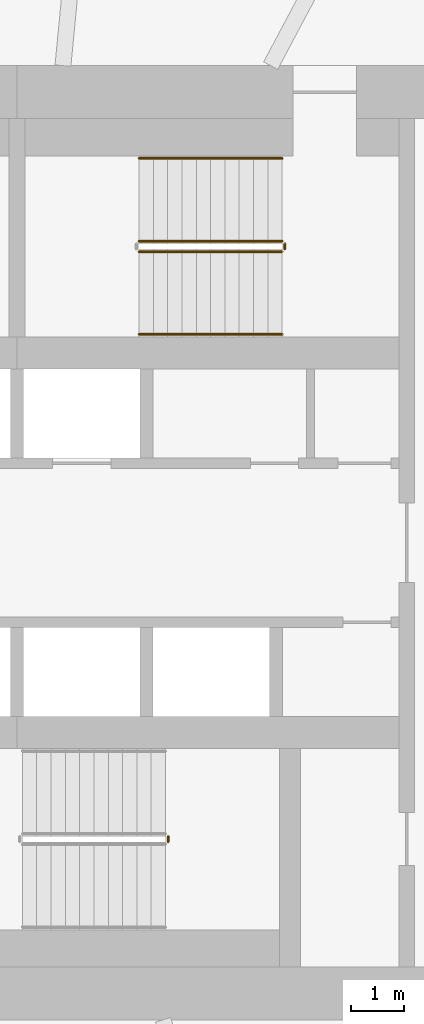
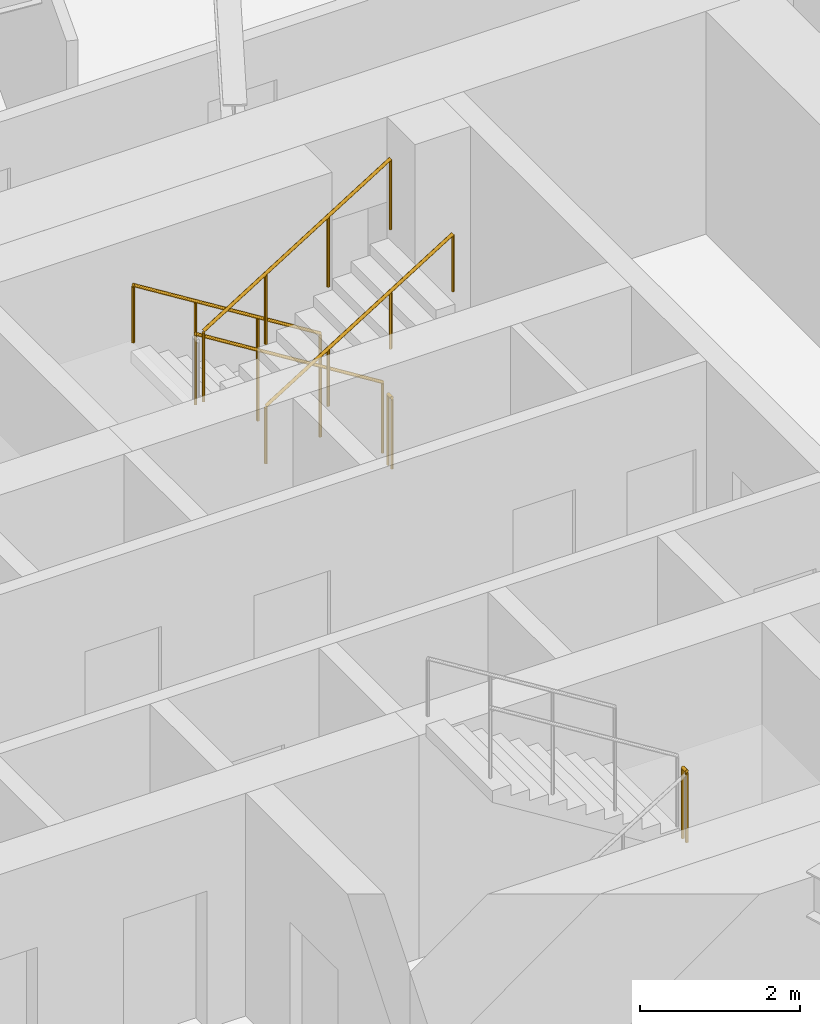
# One storey, part 15 of 16: 6 railings.
"""IFC4 building model written with IfcOpenShell, lengths in metres."""

import ifcopenshell
import ifcopenshell.guid

model = None  # the IFC model being written
_history = None  # IfcOwnerHistory: only IFC2X3 demands one
_inside = {}  # id of a spatial element -> (the spatial element, [elements in it])
_under = {}  # id of a project, library or spatial element -> (it, [spatial elements below it])
_declared = {}  # id of a project -> (the project, [libraries it declares])
_typed = {}  # id of a type object -> (the type object, [elements of that type])
_made_of = {}  # id of a material, layer set ... -> (it, [elements and type objects made of it])


def new_model(schema):
    """Start an empty IFC model of exactly this schema.

    Asked for "IFC4X3", IfcOpenShell would pick the latest addendum, in which some entities
    have other attributes; the version numbers below select the first issue.
    IFC2X3 requires an IfcOwnerHistory on every rooted entity: one is made here for all.
    """
    global model, _history
    if schema == "IFC4X3":
        model = ifcopenshell.file(schema_version=(4, 3, 0, 0))
    else:
        model = ifcopenshell.file(schema=schema)
    _inside.clear()
    _under.clear()
    _declared.clear()
    _typed.clear()
    _made_of.clear()
    _history = None
    if model.schema == "IFC2X3":
        org = make("IfcOrganization", Name="unknown")
        user = make(
            "IfcPersonAndOrganization",
            ThePerson=make("IfcPerson", FamilyName="unknown"),
            TheOrganization=org,
        )
        app = make(
            "IfcApplication",
            ApplicationDeveloper=org,
            Version="unknown",
            ApplicationFullName="unknown",
            ApplicationIdentifier="unknown",
        )
        _history = make(
            "IfcOwnerHistory",
            OwningUser=user,
            OwningApplication=app,
            ChangeAction="ADDED",
            CreationDate=0,
        )
    return model


def make(cls, **values):
    """One entity of the class cls with the attributes given. An attribute that is None is left unset."""
    return model.create_entity(
        cls, **{name: value for name, value in values.items() if value is not None}
    )


def rooted(cls, **values):
    """An entity with a GlobalId (a new one), such as an element, a storey or a relation."""
    return make(cls, GlobalId=ifcopenshell.guid.new(), OwnerHistory=_history, **values)


def si_unit(unit_type, name, prefix=None):
    """IfcSIUnit, for example si_unit("LENGTHUNIT", "METRE", prefix="MILLI")."""
    return make("IfcSIUnit", UnitType=unit_type, Prefix=prefix, Name=name)


def assignment(units):
    """IfcUnitAssignment: the units of a project."""
    return None if units is None else make("IfcUnitAssignment", Units=units)


def point(xyz):
    """IfcCartesianPoint."""
    return None if xyz is None else make("IfcCartesianPoint", Coordinates=xyz)


def direction(xyz):
    """IfcDirection."""
    return None if xyz is None else make("IfcDirection", DirectionRatios=xyz)


def frame(location, z_axis=None, x_axis=None):
    """IfcAxis2Placement3D, a coordinate frame: its origin and axes. An axis left out is left unset."""
    return make(
        "IfcAxis2Placement3D",
        Location=point(location),
        Axis=direction(z_axis),
        RefDirection=direction(x_axis),
    )


def frame_2d(location, x_axis=None):
    """IfcAxis2Placement2D, a coordinate frame in the plane: its origin and x axis."""
    return make(
        "IfcAxis2Placement2D", Location=point(location), RefDirection=direction(x_axis)
    )


def origin():
    """The frame at (0, 0, 0) with its axes left unset."""
    return frame((0.0, 0.0, 0.0))


def origin_2d():
    """The frame at (0, 0) in the plane with its x axis left unset."""
    return frame_2d((0.0, 0.0))


def place(relative_to, where):
    """IfcLocalPlacement: puts the frame where relative to a parent placement (None: the world)."""
    return make(
        "IfcLocalPlacement", PlacementRelTo=relative_to, RelativePlacement=where
    )


def context(
    kind, dimensions, precision=None, world=None, true_north=None, identifier=None
):
    """IfcGeometricRepresentationContext, for example the 3D "Model" context."""
    return make(
        "IfcGeometricRepresentationContext",
        ContextIdentifier=identifier,
        ContextType=kind,
        CoordinateSpaceDimension=dimensions,
        Precision=precision,
        WorldCoordinateSystem=world,
        TrueNorth=true_north,
    )


def subcontext(parent, identifier, kind, view, scale=None):
    """IfcGeometricRepresentationSubContext, for example "Body" below "Model"."""
    return make(
        "IfcGeometricRepresentationSubContext",
        ContextIdentifier=identifier,
        ContextType=kind,
        ParentContext=parent,
        TargetScale=scale,
        TargetView=view,
    )


def project(units=None, contexts=None):
    """IfcProject with its units and contexts."""
    return rooted(
        "IfcProject",
        Name="project",
        RepresentationContexts=contexts,
        UnitsInContext=assignment(units),
    )


def spatial(cls, under=None, at=None, **own):
    """A site, building, storey or space (cls), placed at a placement, below another one or the project."""
    s = rooted(cls, ObjectPlacement=at, **own)
    if under is not None:
        _under.setdefault(under.id(), (under, []))[1].append(s)
    return s


def profile(cls, at=None, kind="AREA", **sizes):
    """A parametric profile (cls). Its sizes go by their IFC names, for example OverallWidth=200.0."""
    return make(cls, ProfileType=kind, Position=at, **sizes)


def circle(**sizes):
    """IfcCircleProfileDef."""
    return profile("IfcCircleProfileDef", **sizes)


def extrude(swept, where, along, depth):
    """IfcExtrudedAreaSolid: the profile swept, set in the frame where, extruded along a direction by depth."""
    return make(
        "IfcExtrudedAreaSolid",
        SweptArea=swept,
        Position=where,
        ExtrudedDirection=direction(along),
        Depth=depth,
    )


def shape(context_of_items, identifier, shape_type, items):
    """IfcShapeRepresentation: the items that make up one representation, for example the "Body"."""
    return make(
        "IfcShapeRepresentation",
        ContextOfItems=context_of_items,
        RepresentationIdentifier=identifier,
        RepresentationType=shape_type,
        Items=items,
    )


def material(Name=None, Category=None):
    """IfcMaterial."""
    return make("IfcMaterial", Name=Name, Category=Category)


def made_of(thing, what):
    """Note that an element or type object is made of a material, layer set ...; save() writes the relation."""
    if what is not None:
        _made_of.setdefault(what.id(), (what, []))[1].append(thing)
    return thing


def type_object(cls, material=None, **own):
    """A type object (cls), such as IfcWallType, which elements share."""
    return made_of(rooted(cls, **own), material)


def element(
    cls,
    number,
    at=None,
    inside=None,
    cuts=None,
    type_object=None,
    material=None,
    context=None,
    identifier="Body",
    shape_type=None,
    held_by="IfcProductDefinitionShape",
    body=None,
    shapes=None,
    **own,
):
    """One element of the class cls, such as IfcWall. Its Tag is "e" and its number.

    at: its placement. inside: the storey or other place that contains it. cuts: it is an
    opening in that element (IfcRelVoidsElement). A single representation is given by context,
    identifier, shape_type and body (its items); several are given by shapes. held_by: the class
    of the entity that holds the representations. save() writes the other relations.
    """
    e = rooted(cls, Tag="e%d" % number, ObjectPlacement=at, **own)
    if body is not None:
        shapes = [shape(context, identifier, shape_type, body)]
    if shapes is not None:
        e.Representation = make(held_by, Representations=shapes)
    if inside is not None:
        _inside.setdefault(inside.id(), (inside, []))[1].append(e)
    if cuts is not None:
        rooted(
            "IfcRelVoidsElement", RelatingBuildingElement=cuts, RelatedOpeningElement=e
        )
    if type_object is not None:
        _typed.setdefault(type_object.id(), (type_object, []))[1].append(e)
    return made_of(e, material)


def aggregate(whole, parts):
    """IfcRelAggregates: a whole, such as a stair, and the parts it consists of."""
    return rooted("IfcRelAggregates", RelatingObject=whole, RelatedObjects=parts)


def save(model, path):
    """Write the relations noted so far, then the file.

    IfcRelAggregates (storeys below a building ...), IfcRelContainedInSpatialStructure (elements
    in a storey), IfcRelDefinesByType, IfcRelAssociatesMaterial and IfcRelDeclares: one each for
    every whole, place, type object, material and project.
    """
    for whole, parts in _under.values():
        aggregate(whole, parts)
    for where, things in _inside.values():
        rooted(
            "IfcRelContainedInSpatialStructure",
            RelatedElements=things,
            RelatingStructure=where,
        )
    for kind, things in _typed.values():
        rooted("IfcRelDefinesByType", RelatedObjects=things, RelatingType=kind)
    for what, things in _made_of.values():
        rooted("IfcRelAssociatesMaterial", RelatedObjects=things, RelatingMaterial=what)
    for by, libraries in _declared.values():
        rooted("IfcRelDeclares", RelatingContext=by, RelatedDefinitions=libraries)
    model.write(path)


model = new_model("IFC4")

# Units and contexts
model_context = context("Model", 3, precision=1e-05, world=origin(), true_north=direction((0.0, 1.0)))
body_context = subcontext(model_context, "Body", "Model", "MODEL_VIEW")
ifc_project = project(units=[si_unit("LENGTHUNIT", "METRE"), si_unit("AREAUNIT", "SQUARE_METRE"), si_unit("VOLUMEUNIT", "CUBIC_METRE"), si_unit("PLANEANGLEUNIT", "RADIAN"), si_unit("MASSUNIT", "GRAM", prefix="KILO")], contexts=[model_context])

# Site, building, storey
site_placement = place(None, origin())
site = spatial("IfcSite", under=ifc_project, at=site_placement, CompositionType="ELEMENT")
building_placement = place(site_placement, origin())
building = spatial("IfcBuilding", under=site, at=building_placement, Name="Vermilion Reach Broadcast Tower", CompositionType="ELEMENT")
storey_placement = place(building_placement, frame((0.0, 0.0, 69.300048828125)))
storey = spatial("IfcBuildingStorey", under=building, at=storey_placement, Name="L14", CompositionType="ELEMENT", Elevation=69.300048828125)

# Railings
ifc_material_1 = material(Name="Stainless steel", Category="steel")
railing_type_1 = type_object("IfcRailingType", Name="Stair guard 1100", PredefinedType="GUARDRAIL", material=ifc_material_1)
railing_1_placement = place(storey_placement, frame((-1.0, 5.68994140625, 0.168212890625)))
element("IfcRailing", 1, at=railing_1_placement, inside=storey, type_object=railing_type_1, Name="L14 ST2 stair guard 1", PredefinedType="GUARDRAIL", context=body_context, shape_type="SweptSolid", body=[
    extrude(circle(Radius=0.02392578125, at=origin_2d()), frame((0.0, 0.0, 1.076171875), z_axis=(-0.84882087487, 0.0, 0.528680548522), x_axis=(0.0, -1.0, 0.0)), (0.0, 0.0, 1.0), 3.180908203125),
    extrude(circle(Radius=0.02099609375, at=origin_2d()), origin(), (0.0, 0.0, 1.0), 1.052001953125),
    extrude(circle(Radius=0.02099609375, at=origin_2d()), frame((-0.89990234375, 0.0, 0.560546875)), (0.0, 0.0, 1.0), 1.052001953125),
    extrude(circle(Radius=0.02099609375, at=origin_2d()), frame((-1.800048828125, 0.0, 1.12109375)), (0.0, 0.0, 1.0), 1.052001953125),
    extrude(circle(Radius=0.02099609375, at=origin_2d()), frame((-2.699951171875, 0.0, 1.681640625)), (0.0, 0.0, 1.0), 1.052001953125),
])
railing_2_placement = place(storey_placement, frame((-3.699951171875, 5.489990234375, 2.01806640625)))
element("IfcRailing", 2, at=railing_2_placement, inside=storey, type_object=railing_type_1, Name="L14 ST2 stair guard 3", PredefinedType="GUARDRAIL", context=body_context, shape_type="SweptSolid", body=[
    extrude(circle(Radius=0.02392578125, at=origin_2d()), frame((0.0, 0.0, 1.076171875), z_axis=(0.848786430784, 0.0, 0.528735846068), x_axis=(0.0, 1.0, 0.0)), (0.0, 0.0, 1.0), 3.180908203125),
    extrude(circle(Radius=0.02099609375, at=origin_2d()), origin(), (0.0, 0.0, 1.0), 1.052001953125),
    extrude(circle(Radius=0.02099609375, at=origin_2d()), frame((0.89990234375, 0.0, 0.560546875)), (0.0, 0.0, 1.0), 1.052001953125),
    extrude(circle(Radius=0.02099609375, at=origin_2d()), frame((1.800048828125, 0.0, 1.121337890625)), (0.0, 0.0, 1.0), 1.052001953125),
    extrude(circle(Radius=0.02099609375, at=origin_2d()), frame((2.699951171875, 0.0, 1.681884765625)), (0.0, 0.0, 1.0), 1.052001953125),
])
railing_3_placement = place(storey_placement, frame((-0.949951171875, 5.639892578125, 0.0)))
element("IfcRailing", 3, at=railing_3_placement, inside=storey, type_object=railing_type_1, Name="L14 ST2 stair guard 4", PredefinedType="GUARDRAIL", context=body_context, shape_type="SweptSolid", body=[
    extrude(circle(Radius=0.02392578125, at=origin_2d()), frame((0.0, 0.0, 1.076171875), z_axis=(0.0, -1.0, 0.0), x_axis=(1.0, 0.0, 0.0)), (0.0, 0.0, 1.0), 0.099853515625),
    extrude(circle(Radius=0.02099609375, at=origin_2d()), origin(), (0.0, 0.0, 1.0), 1.052001953125),
    extrude(circle(Radius=0.02099609375, at=origin_2d()), frame((0.0, -0.099853515625, 0.0)), (0.0, 0.0, 1.0), 1.052001953125),
])
railing_4_placement = place(storey_placement, frame((-3.14990234375, -5.639892578125, 1.849853515625)))
element("IfcRailing", 4, at=railing_4_placement, inside=storey, type_object=railing_type_1, Name="L14 ST3 stair guard 2", PredefinedType="GUARDRAIL", context=body_context, shape_type="SweptSolid", body=[
    extrude(circle(Radius=0.02392578125, at=origin_2d()), frame((0.0, 0.0, 1.076171875), z_axis=(0.0, 1.0, 0.0), x_axis=(-1.0, 0.0, 0.0)), (0.0, 0.0, 1.0), 0.099853515625),
    extrude(circle(Radius=0.02099609375, at=origin_2d()), origin(), (0.0, 0.0, 1.0), 1.052001953125),
    extrude(circle(Radius=0.02099609375, at=origin_2d()), frame((0.0, 0.099853515625, 0.0)), (0.0, 0.0, 1.0), 1.052001953125),
])
ifc_material_2 = material(Name="Stainless steel", Category="steel")
railing_type_2 = type_object("IfcRailingType", Name="Stair handrail", PredefinedType="HANDRAIL", material=ifc_material_2)
railing_5_placement = place(storey_placement, frame((-1.0, 7.25, 0.168212890625)))
element("IfcRailing", 5, at=railing_5_placement, inside=storey, type_object=railing_type_2, Name="L14 ST2 stair handrail 1", PredefinedType="HANDRAIL", context=body_context, shape_type="SweptSolid", body=[
    extrude(circle(Radius=0.02392578125, at=origin_2d()), frame((0.0, 0.0, 0.8759765625), z_axis=(-0.84882087487, 0.0, 0.528680548522), x_axis=(0.0, -1.0, 0.0)), (0.0, 0.0, 1.0), 3.180908203125),
    extrude(circle(Radius=0.02099609375, at=origin_2d()), origin(), (0.0, 0.0, 1.0), 0.851806640625),
    extrude(circle(Radius=0.02099609375, at=origin_2d()), frame((-0.89990234375, 0.0, 0.560546875)), (0.0, 0.0, 1.0), 0.851806640625),
    extrude(circle(Radius=0.02099609375, at=origin_2d()), frame((-1.800048828125, 0.0, 1.12109375)), (0.0, 0.0, 1.0), 0.851806640625),
    extrude(circle(Radius=0.02099609375, at=origin_2d()), frame((-2.699951171875, 0.0, 1.681640625)), (0.0, 0.0, 1.0), 0.851806640625),
])
railing_6_placement = place(storey_placement, frame((-3.699951171875, 3.929931640625, 2.01806640625)))
element("IfcRailing", 6, at=railing_6_placement, inside=storey, type_object=railing_type_2, Name="L14 ST2 stair handrail 2", PredefinedType="HANDRAIL", context=body_context, shape_type="SweptSolid", body=[
    extrude(circle(Radius=0.02392578125, at=origin_2d()), frame((0.0, 0.0, 0.8759765625), z_axis=(0.848786430784, 0.0, 0.528735846068), x_axis=(0.0, 1.0, 0.0)), (0.0, 0.0, 1.0), 3.180908203125),
    extrude(circle(Radius=0.02099609375, at=origin_2d()), origin(), (0.0, 0.0, 1.0), 0.851806640625),
    extrude(circle(Radius=0.02099609375, at=origin_2d()), frame((0.89990234375, 0.0, 0.560546875)), (0.0, 0.0, 1.0), 0.851806640625),
    extrude(circle(Radius=0.02099609375, at=origin_2d()), frame((1.800048828125, 0.0, 1.121337890625)), (0.0, 0.0, 1.0), 0.851806640625),
    extrude(circle(Radius=0.02099609375, at=origin_2d()), frame((2.699951171875, 0.0, 1.681884765625)), (0.0, 0.0, 1.0), 0.851806640625),
])

save(model, "model.ifc")
